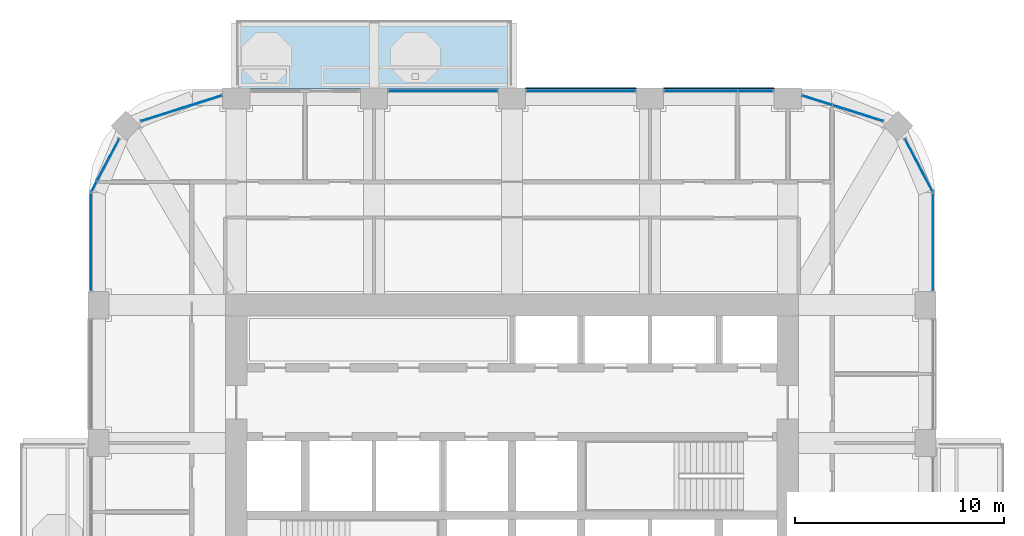
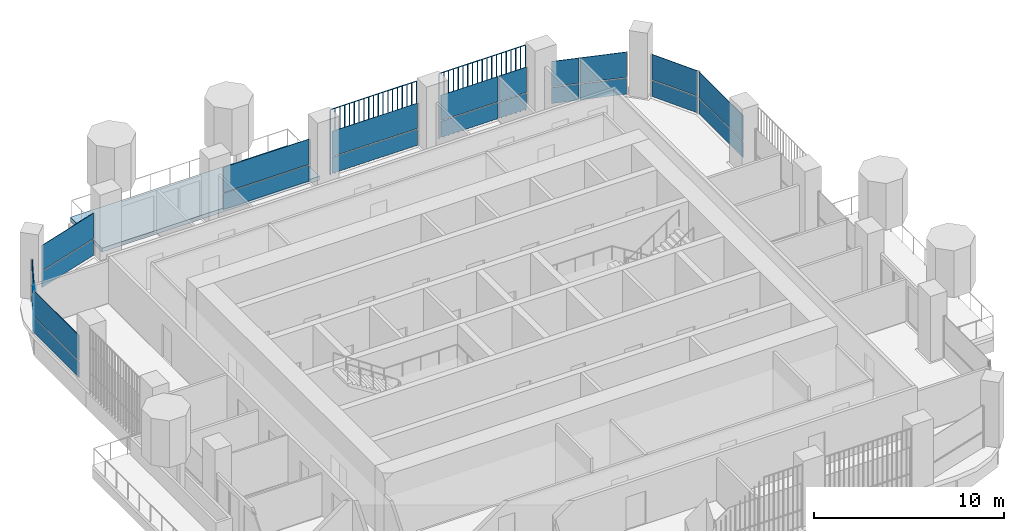
# One storey, part 10 of 20: 26 plates, 1 slab, 9 elements without a shape of their own.
"""IFC4 building model written with IfcOpenShell, lengths in metres."""

from ifc_helpers import new_model, si_unit, direction, frame, origin, origin_2d, place, context, subcontext, project, spatial, polyline, rectangle, outline, extrude, material, layer, layer_set, type_object, element, aggregate, save


model = new_model("IFC4")

# Units and contexts
model_context = context("Model", 3, precision=1e-05, world=origin(), true_north=direction((0.0, 1.0)))
body_context = subcontext(model_context, "Body", "Model", "MODEL_VIEW")
ifc_project = project(units=[si_unit("LENGTHUNIT", "METRE"), si_unit("AREAUNIT", "SQUARE_METRE"), si_unit("VOLUMEUNIT", "CUBIC_METRE"), si_unit("PLANEANGLEUNIT", "RADIAN"), si_unit("MASSUNIT", "GRAM", prefix="KILO")], contexts=[model_context])

# Site, building, storey
site_placement = place(None, origin())
site = spatial("IfcSite", under=ifc_project, at=site_placement, CompositionType="ELEMENT")
building_placement = place(site_placement, origin())
building = spatial("IfcBuilding", under=site, at=building_placement, Name="Cobogo Forest Laboratory Tower", CompositionType="ELEMENT")
storey_placement = place(building_placement, frame((0.0, 0.0, 254.39990234375)))
storey = spatial("IfcBuildingStorey", under=building, at=storey_placement, Name="L58", CompositionType="ELEMENT", Elevation=254.39990234375)

# Slab
ifc_material_1 = material(Name="Concrete HA-40 (C40/50)", Category="concrete")
ifc_layer_1 = layer(ifc_material_1, 0.25)
ifc_layer_set_1 = layer_set([ifc_layer_1], Name="Balcony slab 250")
slab_type = type_object("IfcSlabType", Name="Balcony slab 250", PredefinedType="FLOOR", material=ifc_layer_set_1)
slab_placement = place(storey_placement, frame((0.0, 0.0, -0.25)))
element("IfcSlab", 1, at=slab_placement, inside=storey, type_object=slab_type, Name="Balcony BAL-N1 L58", PredefinedType="FLOOR", context=body_context, shape_type="SweptSolid", body=[
    extrude(outline(polyline([(13.199951171875, 43.35009765625), (26.39990234375, 43.35009765625), (26.39990234375, 46.64990234375), (13.199951171875, 46.64990234375), (13.199951171875, 43.35009765625)])), origin(), (0.0, 0.0, 1.0), 0.25),
])

# Curtain wall, plates
ifc_material_2 = material(Name="Aluminium curtain wall", Category="aluminium")
curtain_wall_type = type_object("IfcCurtainWallType", Name="CW-2 unitised curtain wall, solar control glazing, laboratory floors zones C and D", PredefinedType="USERDEFINED", material=ifc_material_2)
curtain_wall_1_placement = place(storey_placement, origin())
curtain_wall_1 = element("IfcCurtainWall", 2, at=curtain_wall_1_placement, inside=storey, type_object=curtain_wall_type, Name="Curtain wall 11 L58", ObjectType="UNITISED CURTAIN WALL", PredefinedType="USERDEFINED")
ifc_material_3 = material(Name="Solar control insulated glass", Category="glass")
ifc_layer_2 = layer(ifc_material_3, 0.031982421875)
ifc_layer_set_2 = layer_set([ifc_layer_2], Name="GP-2 solar control glass unit 32")
plate_type_1 = type_object("IfcPlateType", Name="GP-2 solar control glass unit 32", PredefinedType="CURTAIN_PANEL", material=ifc_layer_set_2)
plate_1_placement = place(storey_placement, frame((46.550048828125, 36.02490234375, 0.0), z_axis=(0.0, 0.0, 1.0), x_axis=(0.0, 1.0, 0.0)))
plate_1 = element("IfcPlate", 3, at=plate_1_placement, type_object=plate_type_1, Name="CW-2 panel 1.1", PredefinedType="CURTAIN_PANEL", context=body_context, shape_type="SweptSolid", body=[
    extrude(rectangle(XDim=4.6298828125, YDim=0.031982421875, at=origin_2d()), origin(), (0.0, 0.0, 1.0), 1.02001953125),
])
plate_2_placement = place(storey_placement, frame((46.550048828125, 36.02490234375, 1.080078125), z_axis=(0.0, 0.0, 1.0), x_axis=(0.0, 1.0, 0.0)))
plate_2 = element("IfcPlate", 4, at=plate_2_placement, type_object=plate_type_1, Name="CW-2 panel 1.2", PredefinedType="CURTAIN_PANEL", context=body_context, shape_type="SweptSolid", body=[
    extrude(rectangle(XDim=4.6298828125, YDim=0.031982421875, at=origin_2d()), origin(), (0.0, 0.0, 1.0), 1.6201171875),
])
aggregate(curtain_wall_1, [plate_1, plate_2])

curtain_wall_2_placement = place(storey_placement, origin())
curtain_wall_2 = element("IfcCurtainWall", 5, at=curtain_wall_2_placement, inside=storey, type_object=curtain_wall_type, Name="Curtain wall 12 L58", ObjectType="UNITISED CURTAIN WALL", PredefinedType="USERDEFINED")
plate_3_placement = place(storey_placement, frame((45.869140625, 39.69873046875, 0.0), z_axis=(0.0, 0.0, 1.0), x_axis=(-0.464283791352, 0.885686491422, 0.0)))
plate_3 = element("IfcPlate", 6, at=plate_3_placement, type_object=plate_type_1, Name="CW-2 panel 1.1", PredefinedType="CURTAIN_PANEL", context=body_context, shape_type="SweptSolid", body=[
    extrude(rectangle(XDim=2.812744140625, YDim=0.031982421875, at=origin_2d()), origin(), (0.0, 0.0, 1.0), 1.02001953125),
])
plate_4_placement = place(storey_placement, frame((45.869140625, 39.69873046875, 1.080078125), z_axis=(0.0, 0.0, 1.0), x_axis=(-0.464283791352, 0.885686491422, 0.0)))
plate_4 = element("IfcPlate", 7, at=plate_4_placement, type_object=plate_type_1, Name="CW-2 panel 1.2", PredefinedType="CURTAIN_PANEL", context=body_context, shape_type="SweptSolid", body=[
    extrude(rectangle(XDim=2.812744140625, YDim=0.031982421875, at=origin_2d()), origin(), (0.0, 0.0, 1.0), 1.6201171875),
])
aggregate(curtain_wall_2, [plate_3, plate_4])

curtain_wall_3_placement = place(storey_placement, origin())
curtain_wall_3 = element("IfcCurtainWall", 8, at=curtain_wall_3_placement, inside=storey, type_object=curtain_wall_type, Name="Curtain wall 13 L58", ObjectType="UNITISED CURTAIN WALL", PredefinedType="USERDEFINED")
plate_5_placement = place(storey_placement, frame((42.962646484375, 42.18798828125, 0.0), z_axis=(0.0, 0.0, 1.0), x_axis=(-0.953581386052, 0.301135418334, 0.0)))
plate_5 = element("IfcPlate", 9, at=plate_5_placement, type_object=plate_type_1, Name="CW-2 panel 1.1", PredefinedType="CURTAIN_PANEL", context=body_context, shape_type="SweptSolid", body=[
    extrude(rectangle(XDim=2.4853515625, YDim=0.031982421875, at=origin_2d()), origin(), (0.0, 0.0, 1.0), 1.02001953125),
])
plate_6_placement = place(storey_placement, frame((42.962646484375, 42.18798828125, 1.080078125), z_axis=(0.0, 0.0, 1.0), x_axis=(-0.953581386052, 0.301135418334, 0.0)))
plate_6 = element("IfcPlate", 10, at=plate_6_placement, type_object=plate_type_1, Name="CW-2 panel 1.2", PredefinedType="CURTAIN_PANEL", context=body_context, shape_type="SweptSolid", body=[
    extrude(rectangle(XDim=2.4853515625, YDim=0.031982421875, at=origin_2d()), origin(), (0.0, 0.0, 1.0), 1.6201171875),
])
plate_7_placement = place(storey_placement, frame((41.013916015625, 42.803466796875, 0.0), z_axis=(0.0, 0.0, 1.0), x_axis=(-0.953581386052, 0.301135418334, 0.0)))
plate_7 = element("IfcPlate", 11, at=plate_7_placement, type_object=plate_type_1, Name="CW-2 panel 2.1", PredefinedType="CURTAIN_PANEL", context=body_context, shape_type="SweptSolid", body=[
    extrude(rectangle(XDim=1.482177734375, YDim=0.031982421875, at=origin_2d()), origin(), (0.0, 0.0, 1.0), 1.02001953125),
])
plate_8_placement = place(storey_placement, frame((41.013916015625, 42.803466796875, 1.080078125), z_axis=(0.0, 0.0, 1.0), x_axis=(-0.953581386052, 0.301135418334, 0.0)))
plate_8 = element("IfcPlate", 12, at=plate_8_placement, type_object=plate_type_1, Name="CW-2 panel 2.2", PredefinedType="CURTAIN_PANEL", context=body_context, shape_type="SweptSolid", body=[
    extrude(rectangle(XDim=1.482177734375, YDim=0.031982421875, at=origin_2d()), origin(), (0.0, 0.0, 1.0), 1.6201171875),
])
aggregate(curtain_wall_3, [plate_5, plate_6, plate_7, plate_8])

curtain_wall_4_placement = place(storey_placement, origin())
curtain_wall_4 = element("IfcCurtainWall", 13, at=curtain_wall_4_placement, inside=storey, type_object=curtain_wall_type, Name="Curtain wall 14 L58", ObjectType="UNITISED CURTAIN WALL", PredefinedType="USERDEFINED")
plate_9_placement = place(storey_placement, frame((38.06005859375, 43.25, 0.0), z_axis=(0.0, 0.0, 1.0), x_axis=(-1.0, 0.0, 0.0)))
plate_9 = element("IfcPlate", 14, at=plate_9_placement, type_object=plate_type_1, Name="CW-2 panel 1.1", PredefinedType="CURTAIN_PANEL", context=body_context, shape_type="SweptSolid", body=[
    extrude(rectangle(XDim=1.659912109375, YDim=0.031982421875, at=origin_2d()), origin(), (0.0, 0.0, 1.0), 1.02001953125),
])
plate_10_placement = place(storey_placement, frame((38.06005859375, 43.25, 1.080078125), z_axis=(0.0, 0.0, 1.0), x_axis=(-1.0, 0.0, 0.0)))
plate_10 = element("IfcPlate", 15, at=plate_10_placement, type_object=plate_type_1, Name="CW-2 panel 1.2", PredefinedType="CURTAIN_PANEL", context=body_context, shape_type="SweptSolid", body=[
    extrude(rectangle(XDim=1.659912109375, YDim=0.031982421875, at=origin_2d()), origin(), (0.0, 0.0, 1.0), 1.6201171875),
])
plate_11_placement = place(storey_placement, frame((35.43994140625, 43.25, 0.0), z_axis=(0.0, 0.0, 1.0), x_axis=(-1.0, 0.0, 0.0)))
plate_11 = element("IfcPlate", 16, at=plate_11_placement, type_object=plate_type_1, Name="CW-2 panel 2.1", PredefinedType="CURTAIN_PANEL", context=body_context, shape_type="SweptSolid", body=[
    extrude(rectangle(XDim=3.4599609375, YDim=0.031982421875, at=origin_2d()), origin(), (0.0, 0.0, 1.0), 1.02001953125),
])
plate_12_placement = place(storey_placement, frame((35.43994140625, 43.25, 1.080078125), z_axis=(0.0, 0.0, 1.0), x_axis=(-1.0, 0.0, 0.0)))
plate_12 = element("IfcPlate", 17, at=plate_12_placement, type_object=plate_type_1, Name="CW-2 panel 2.2", PredefinedType="CURTAIN_PANEL", context=body_context, shape_type="SweptSolid", body=[
    extrude(rectangle(XDim=3.4599609375, YDim=0.031982421875, at=origin_2d()), origin(), (0.0, 0.0, 1.0), 1.6201171875),
])
aggregate(curtain_wall_4, [plate_9, plate_10, plate_11, plate_12])

curtain_wall_5_placement = place(storey_placement, origin())
curtain_wall_5 = element("IfcCurtainWall", 18, at=curtain_wall_5_placement, inside=storey, type_object=curtain_wall_type, Name="Curtain wall 15 L58", ObjectType="UNITISED CURTAIN WALL", PredefinedType="USERDEFINED")
plate_13_placement = place(storey_placement, frame((29.699951171875, 43.25, 0.0), z_axis=(0.0, 0.0, 1.0), x_axis=(-1.0, 0.0, 0.0)))
plate_13 = element("IfcPlate", 19, at=plate_13_placement, type_object=plate_type_1, Name="CW-2 panel 1.1", PredefinedType="CURTAIN_PANEL", context=body_context, shape_type="SweptSolid", body=[
    extrude(rectangle(XDim=5.179931640625, YDim=0.031982421875, at=origin_2d()), origin(), (0.0, 0.0, 1.0), 1.02001953125),
])
plate_14_placement = place(storey_placement, frame((29.699951171875, 43.25, 1.080078125), z_axis=(0.0, 0.0, 1.0), x_axis=(-1.0, 0.0, 0.0)))
plate_14 = element("IfcPlate", 20, at=plate_14_placement, type_object=plate_type_1, Name="CW-2 panel 1.2", PredefinedType="CURTAIN_PANEL", context=body_context, shape_type="SweptSolid", body=[
    extrude(rectangle(XDim=5.179931640625, YDim=0.031982421875, at=origin_2d()), origin(), (0.0, 0.0, 1.0), 1.6201171875),
])
aggregate(curtain_wall_5, [plate_13, plate_14])

curtain_wall_6_placement = place(storey_placement, origin())
curtain_wall_6 = element("IfcCurtainWall", 21, at=curtain_wall_6_placement, inside=storey, type_object=curtain_wall_type, Name="Curtain wall 16 L58", ObjectType="UNITISED CURTAIN WALL", PredefinedType="USERDEFINED")
plate_15_placement = place(storey_placement, frame((23.10009765625, 43.25, 0.0), z_axis=(0.0, 0.0, 1.0), x_axis=(-1.0, 0.0, 0.0)))
plate_15 = element("IfcPlate", 22, at=plate_15_placement, type_object=plate_type_1, Name="CW-2 panel 1.1", PredefinedType="CURTAIN_PANEL", context=body_context, shape_type="SweptSolid", body=[
    extrude(rectangle(XDim=5.179931640625, YDim=0.031982421875, at=origin_2d()), origin(), (0.0, 0.0, 1.0), 1.02001953125),
])
plate_16_placement = place(storey_placement, frame((23.10009765625, 43.25, 1.080078125), z_axis=(0.0, 0.0, 1.0), x_axis=(-1.0, 0.0, 0.0)))
plate_16 = element("IfcPlate", 23, at=plate_16_placement, type_object=plate_type_1, Name="CW-2 panel 1.2", PredefinedType="CURTAIN_PANEL", context=body_context, shape_type="SweptSolid", body=[
    extrude(rectangle(XDim=5.179931640625, YDim=0.031982421875, at=origin_2d()), origin(), (0.0, 0.0, 1.0), 1.6201171875),
])
aggregate(curtain_wall_6, [plate_15, plate_16])

curtain_wall_7_placement = place(storey_placement, origin())
curtain_wall_7 = element("IfcCurtainWall", 24, at=curtain_wall_7_placement, inside=storey, type_object=curtain_wall_type, Name="Curtain wall 18 L58", ObjectType="UNITISED CURTAIN WALL", PredefinedType="USERDEFINED")
plate_17_placement = place(storey_placement, frame((10.572509765625, 42.420166015625, 0.0), z_axis=(0.0, 0.0, 1.0), x_axis=(-0.953581386052, -0.301135418334, 0.0)))
plate_17 = element("IfcPlate", 25, at=plate_17_placement, type_object=plate_type_1, Name="CW-2 panel 1.1", PredefinedType="CURTAIN_PANEL", context=body_context, shape_type="SweptSolid", body=[
    extrude(rectangle(XDim=4.02734375, YDim=0.031982421875, at=origin_2d()), origin(), (0.0, 0.0, 1.0), 1.02001953125),
])
plate_18_placement = place(storey_placement, frame((10.572509765625, 42.420166015625, 1.080078125), z_axis=(0.0, 0.0, 1.0), x_axis=(-0.953581386052, -0.301135418334, 0.0)))
plate_18 = element("IfcPlate", 26, at=plate_18_placement, type_object=plate_type_1, Name="CW-2 panel 1.2", PredefinedType="CURTAIN_PANEL", context=body_context, shape_type="SweptSolid", body=[
    extrude(rectangle(XDim=4.02734375, YDim=0.031982421875, at=origin_2d()), origin(), (0.0, 0.0, 1.0), 1.6201171875),
])
aggregate(curtain_wall_7, [plate_17, plate_18])

curtain_wall_8_placement = place(storey_placement, origin())
curtain_wall_8 = element("IfcCurtainWall", 27, at=curtain_wall_8_placement, inside=storey, type_object=curtain_wall_type, Name="Curtain wall 19 L58", ObjectType="UNITISED CURTAIN WALL", PredefinedType="USERDEFINED")
plate_19_placement = place(storey_placement, frame((7.064697265625, 39.9541015625, 0.0), z_axis=(0.0, 0.0, 1.0), x_axis=(-0.464283791352, -0.885686491422, 0.0)))
plate_19 = element("IfcPlate", 28, at=plate_19_placement, type_object=plate_type_1, Name="CW-2 panel 1.1", PredefinedType="CURTAIN_PANEL", context=body_context, shape_type="SweptSolid", body=[
    extrude(rectangle(XDim=2.236328125, YDim=0.031982421875, at=origin_2d()), origin(), (0.0, 0.0, 1.0), 1.02001953125),
])
plate_20_placement = place(storey_placement, frame((7.064697265625, 39.9541015625, 1.080078125), z_axis=(0.0, 0.0, 1.0), x_axis=(-0.464283791352, -0.885686491422, 0.0)))
plate_20 = element("IfcPlate", 29, at=plate_20_placement, type_object=plate_type_1, Name="CW-2 panel 1.2", PredefinedType="CURTAIN_PANEL", context=body_context, shape_type="SweptSolid", body=[
    extrude(rectangle(XDim=2.236328125, YDim=0.031982421875, at=origin_2d()), origin(), (0.0, 0.0, 1.0), 1.6201171875),
])
plate_21_placement = place(storey_placement, frame((6.397705078125, 38.681884765625, 0.0), z_axis=(0.0, 0.0, 1.0), x_axis=(-0.464283791352, -0.885686491422, 0.0)))
plate_21 = element("IfcPlate", 30, at=plate_21_placement, type_object=plate_type_1, Name="CW-2 panel 2.1", PredefinedType="CURTAIN_PANEL", context=body_context, shape_type="SweptSolid", body=[
    extrude(rectangle(XDim=0.516357421875, YDim=0.031982421875, at=origin_2d()), origin(), (0.0, 0.0, 1.0), 1.02001953125),
])
plate_22_placement = place(storey_placement, frame((6.397705078125, 38.681884765625, 1.080078125), z_axis=(0.0, 0.0, 1.0), x_axis=(-0.464283791352, -0.885686491422, 0.0)))
plate_22 = element("IfcPlate", 31, at=plate_22_placement, type_object=plate_type_1, Name="CW-2 panel 2.2", PredefinedType="CURTAIN_PANEL", context=body_context, shape_type="SweptSolid", body=[
    extrude(rectangle(XDim=0.516357421875, YDim=0.031982421875, at=origin_2d()), origin(), (0.0, 0.0, 1.0), 1.6201171875),
])
aggregate(curtain_wall_8, [plate_19, plate_20, plate_21, plate_22])

curtain_wall_9_placement = place(storey_placement, origin())
curtain_wall_9 = element("IfcCurtainWall", 32, at=curtain_wall_9_placement, inside=storey, type_object=curtain_wall_type, Name="Curtain wall 20 L58", ObjectType="UNITISED CURTAIN WALL", PredefinedType="USERDEFINED")
plate_23_placement = place(storey_placement, frame((6.25, 36.02490234375, 0.0), z_axis=(0.0, 0.0, 1.0), x_axis=(0.0, -1.0, 0.0)))
plate_23 = element("IfcPlate", 33, at=plate_23_placement, type_object=plate_type_1, Name="CW-2 panel 1.1", PredefinedType="CURTAIN_PANEL", context=body_context, shape_type="SweptSolid", body=[
    extrude(rectangle(XDim=4.6298828125, YDim=0.031982421875, at=origin_2d()), origin(), (0.0, 0.0, 1.0), 1.02001953125),
])
plate_24_placement = place(storey_placement, frame((6.25, 36.02490234375, 1.080078125), z_axis=(0.0, 0.0, 1.0), x_axis=(0.0, -1.0, 0.0)))
plate_24 = element("IfcPlate", 34, at=plate_24_placement, type_object=plate_type_1, Name="CW-2 panel 1.2", PredefinedType="CURTAIN_PANEL", context=body_context, shape_type="SweptSolid", body=[
    extrude(rectangle(XDim=4.6298828125, YDim=0.031982421875, at=origin_2d()), origin(), (0.0, 0.0, 1.0), 1.6201171875),
])
aggregate(curtain_wall_9, [plate_23, plate_24])

# Plates
ifc_material_4 = material(Name="Terracotta", Category="masonry")
plate_type_2 = type_object("IfcPlateType", Name="TB1 terracotta baguette screen", PredefinedType="USERDEFINED", material=ifc_material_4)
plate_25_placement = place(storey_placement, frame((27.081298828125, 43.3779296875, -0.14990234375)))
element("IfcPlate", 35, at=plate_25_placement, inside=storey, type_object=plate_type_2, Name="Baguette screen N3 L58", ObjectType="BAGUETTE SCREEN", PredefinedType="USERDEFINED", context=body_context, shape_type="SweptSolid", body=[
    extrude(outline(polyline([(0.02880859375, 0.011962890625), (0.011962890625, 0.02880859375), (-0.011962890625, 0.02880859375), (-0.02880859375, 0.011962890625), (-0.02880859375, -0.011962890625), (-0.011962890625, -0.02880859375), (0.011962890625, -0.02880859375), (0.02880859375, -0.011962890625), (0.02880859375, 0.011962890625)])), frame((0.0, 0.0, 4.168701171875), z_axis=(1.0, 0.0, 0.0), x_axis=(0.0, 1.0, 0.0)), (0.0, 0.0, 1.0), 5.237548828125),
    extrude(outline(polyline([(0.02880859375, 0.011962890625), (0.011962890625, 0.02880859375), (-0.011962890625, 0.02880859375), (-0.02880859375, 0.011962890625), (-0.02880859375, -0.011962890625), (-0.011962890625, -0.02880859375), (0.011962890625, -0.02880859375), (0.02880859375, -0.011962890625), (0.02880859375, 0.011962890625)])), origin(), (0.0, 0.0, 1.0), 4.137451171875),
    extrude(outline(polyline([(0.02880859375, 0.011962890625), (0.011962890625, 0.02880859375), (-0.011962890625, 0.02880859375), (-0.02880859375, 0.011962890625), (-0.02880859375, -0.011962890625), (-0.011962890625, -0.02880859375), (0.011962890625, -0.02880859375), (0.02880859375, -0.011962890625), (0.02880859375, 0.011962890625)])), frame((0.291015625, 0.0, 0.0)), (0.0, 0.0, 1.0), 4.137451171875),
    extrude(outline(polyline([(0.02880859375, 0.011962890625), (0.011962890625, 0.02880859375), (-0.011962890625, 0.02880859375), (-0.02880859375, 0.011962890625), (-0.02880859375, -0.011962890625), (-0.011962890625, -0.02880859375), (0.011962890625, -0.02880859375), (0.02880859375, -0.011962890625), (0.02880859375, 0.011962890625)])), frame((0.58203125, 0.0, 0.0)), (0.0, 0.0, 1.0), 4.137451171875),
    extrude(outline(polyline([(0.02880859375, 0.011962890625), (0.011962890625, 0.02880859375), (-0.011962890625, 0.02880859375), (-0.02880859375, 0.011962890625), (-0.02880859375, -0.011962890625), (-0.011962890625, -0.02880859375), (0.011962890625, -0.02880859375), (0.02880859375, -0.011962890625), (0.02880859375, 0.011962890625)])), frame((0.873046875, 0.0, 0.0)), (0.0, 0.0, 1.0), 4.137451171875),
    extrude(outline(polyline([(0.02880859375, 0.011962890625), (0.011962890625, 0.02880859375), (-0.011962890625, 0.02880859375), (-0.02880859375, 0.011962890625), (-0.02880859375, -0.011962890625), (-0.011962890625, -0.02880859375), (0.011962890625, -0.02880859375), (0.02880859375, -0.011962890625), (0.02880859375, 0.011962890625)])), frame((1.163818359375, 0.0, 0.0)), (0.0, 0.0, 1.0), 4.137451171875),
    extrude(outline(polyline([(0.02880859375, 0.011962890625), (0.011962890625, 0.02880859375), (-0.011962890625, 0.02880859375), (-0.02880859375, 0.011962890625), (-0.02880859375, -0.011962890625), (-0.011962890625, -0.02880859375), (0.011962890625, -0.02880859375), (0.02880859375, -0.011962890625), (0.02880859375, 0.011962890625)])), frame((1.454833984375, 0.0, 0.0)), (0.0, 0.0, 1.0), 4.137451171875),
    extrude(outline(polyline([(0.02880859375, 0.011962890625), (0.011962890625, 0.02880859375), (-0.011962890625, 0.02880859375), (-0.02880859375, 0.011962890625), (-0.02880859375, -0.011962890625), (-0.011962890625, -0.02880859375), (0.011962890625, -0.02880859375), (0.02880859375, -0.011962890625), (0.02880859375, 0.011962890625)])), frame((1.745849609375, 0.0, 0.0)), (0.0, 0.0, 1.0), 4.137451171875),
    extrude(outline(polyline([(0.02880859375, 0.011962890625), (0.011962890625, 0.02880859375), (-0.011962890625, 0.02880859375), (-0.02880859375, 0.011962890625), (-0.02880859375, -0.011962890625), (-0.011962890625, -0.02880859375), (0.011962890625, -0.02880859375), (0.02880859375, -0.011962890625), (0.02880859375, 0.011962890625)])), frame((2.036865234375, 0.0, 0.0)), (0.0, 0.0, 1.0), 4.137451171875),
    extrude(outline(polyline([(0.02880859375, 0.011962890625), (0.011962890625, 0.02880859375), (-0.011962890625, 0.02880859375), (-0.02880859375, 0.011962890625), (-0.02880859375, -0.011962890625), (-0.011962890625, -0.02880859375), (0.011962890625, -0.02880859375), (0.02880859375, -0.011962890625), (0.02880859375, 0.011962890625)])), frame((2.327880859375, 0.0, 0.0)), (0.0, 0.0, 1.0), 4.137451171875),
    extrude(outline(polyline([(0.02880859375, 0.011962890625), (0.011962890625, 0.02880859375), (-0.011962890625, 0.02880859375), (-0.02880859375, 0.011962890625), (-0.02880859375, -0.011962890625), (-0.011962890625, -0.02880859375), (0.011962890625, -0.02880859375), (0.02880859375, -0.011962890625), (0.02880859375, 0.011962890625)])), frame((2.61865234375, 0.0, 0.0)), (0.0, 0.0, 1.0), 4.137451171875),
    extrude(outline(polyline([(0.02880859375, 0.011962890625), (0.011962890625, 0.02880859375), (-0.011962890625, 0.02880859375), (-0.02880859375, 0.011962890625), (-0.02880859375, -0.011962890625), (-0.011962890625, -0.02880859375), (0.011962890625, -0.02880859375), (0.02880859375, -0.011962890625), (0.02880859375, 0.011962890625)])), frame((2.90966796875, 0.0, 0.0)), (0.0, 0.0, 1.0), 4.137451171875),
    extrude(outline(polyline([(0.02880859375, 0.011962890625), (0.011962890625, 0.02880859375), (-0.011962890625, 0.02880859375), (-0.02880859375, 0.011962890625), (-0.02880859375, -0.011962890625), (-0.011962890625, -0.02880859375), (0.011962890625, -0.02880859375), (0.02880859375, -0.011962890625), (0.02880859375, 0.011962890625)])), frame((3.20068359375, 0.0, 0.0)), (0.0, 0.0, 1.0), 4.137451171875),
    extrude(outline(polyline([(0.02880859375, 0.011962890625), (0.011962890625, 0.02880859375), (-0.011962890625, 0.02880859375), (-0.02880859375, 0.011962890625), (-0.02880859375, -0.011962890625), (-0.011962890625, -0.02880859375), (0.011962890625, -0.02880859375), (0.02880859375, -0.011962890625), (0.02880859375, 0.011962890625)])), frame((3.49169921875, 0.0, 0.0)), (0.0, 0.0, 1.0), 4.137451171875),
    extrude(outline(polyline([(0.02880859375, 0.011962890625), (0.011962890625, 0.02880859375), (-0.011962890625, 0.02880859375), (-0.02880859375, 0.011962890625), (-0.02880859375, -0.011962890625), (-0.011962890625, -0.02880859375), (0.011962890625, -0.02880859375), (0.02880859375, -0.011962890625), (0.02880859375, 0.011962890625)])), frame((3.78271484375, 0.0, 0.0)), (0.0, 0.0, 1.0), 4.137451171875),
    extrude(outline(polyline([(0.02880859375, 0.011962890625), (0.011962890625, 0.02880859375), (-0.011962890625, 0.02880859375), (-0.02880859375, 0.011962890625), (-0.02880859375, -0.011962890625), (-0.011962890625, -0.02880859375), (0.011962890625, -0.02880859375), (0.02880859375, -0.011962890625), (0.02880859375, 0.011962890625)])), frame((4.07373046875, 0.0, 0.0)), (0.0, 0.0, 1.0), 4.137451171875),
    extrude(outline(polyline([(0.02880859375, 0.011962890625), (0.011962890625, 0.02880859375), (-0.011962890625, 0.02880859375), (-0.02880859375, 0.011962890625), (-0.02880859375, -0.011962890625), (-0.011962890625, -0.02880859375), (0.011962890625, -0.02880859375), (0.02880859375, -0.011962890625), (0.02880859375, 0.011962890625)])), frame((4.36474609375, 0.0, 0.0)), (0.0, 0.0, 1.0), 4.137451171875),
    extrude(outline(polyline([(0.02880859375, 0.011962890625), (0.011962890625, 0.02880859375), (-0.011962890625, 0.02880859375), (-0.02880859375, 0.011962890625), (-0.02880859375, -0.011962890625), (-0.011962890625, -0.02880859375), (0.011962890625, -0.02880859375), (0.02880859375, -0.011962890625), (0.02880859375, 0.011962890625)])), frame((4.655517578125, 0.0, 0.0)), (0.0, 0.0, 1.0), 4.137451171875),
    extrude(outline(polyline([(0.02880859375, 0.011962890625), (0.011962890625, 0.02880859375), (-0.011962890625, 0.02880859375), (-0.02880859375, 0.011962890625), (-0.02880859375, -0.011962890625), (-0.011962890625, -0.02880859375), (0.011962890625, -0.02880859375), (0.02880859375, -0.011962890625), (0.02880859375, 0.011962890625)])), frame((4.946533203125, 0.0, 0.0)), (0.0, 0.0, 1.0), 4.137451171875),
    extrude(outline(polyline([(0.02880859375, 0.011962890625), (0.011962890625, 0.02880859375), (-0.011962890625, 0.02880859375), (-0.02880859375, 0.011962890625), (-0.02880859375, -0.011962890625), (-0.011962890625, -0.02880859375), (0.011962890625, -0.02880859375), (0.02880859375, -0.011962890625), (0.02880859375, 0.011962890625)])), frame((5.237548828125, 0.0, 0.0)), (0.0, 0.0, 1.0), 4.137451171875),
])
plate_26_placement = place(storey_placement, frame((33.68115234375, 43.3779296875, -0.14990234375)))
element("IfcPlate", 36, at=plate_26_placement, inside=storey, type_object=plate_type_2, Name="Baguette screen N4 L58", ObjectType="BAGUETTE SCREEN", PredefinedType="USERDEFINED", context=body_context, shape_type="SweptSolid", body=[
    extrude(outline(polyline([(0.02880859375, 0.011962890625), (0.011962890625, 0.02880859375), (-0.011962890625, 0.02880859375), (-0.02880859375, 0.011962890625), (-0.02880859375, -0.011962890625), (-0.011962890625, -0.02880859375), (0.011962890625, -0.02880859375), (0.02880859375, -0.011962890625), (0.02880859375, 0.011962890625)])), frame((0.0, 0.0, 4.168701171875), z_axis=(1.0, 0.0, 0.0), x_axis=(0.0, 1.0, 0.0)), (0.0, 0.0, 1.0), 5.237548828125),
    extrude(outline(polyline([(0.02880859375, 0.011962890625), (0.011962890625, 0.02880859375), (-0.011962890625, 0.02880859375), (-0.02880859375, 0.011962890625), (-0.02880859375, -0.011962890625), (-0.011962890625, -0.02880859375), (0.011962890625, -0.02880859375), (0.02880859375, -0.011962890625), (0.02880859375, 0.011962890625)])), origin(), (0.0, 0.0, 1.0), 4.137451171875),
    extrude(outline(polyline([(0.02880859375, 0.011962890625), (0.011962890625, 0.02880859375), (-0.011962890625, 0.02880859375), (-0.02880859375, 0.011962890625), (-0.02880859375, -0.011962890625), (-0.011962890625, -0.02880859375), (0.011962890625, -0.02880859375), (0.02880859375, -0.011962890625), (0.02880859375, 0.011962890625)])), frame((0.291015625, 0.0, 0.0)), (0.0, 0.0, 1.0), 4.137451171875),
    extrude(outline(polyline([(0.02880859375, 0.011962890625), (0.011962890625, 0.02880859375), (-0.011962890625, 0.02880859375), (-0.02880859375, 0.011962890625), (-0.02880859375, -0.011962890625), (-0.011962890625, -0.02880859375), (0.011962890625, -0.02880859375), (0.02880859375, -0.011962890625), (0.02880859375, 0.011962890625)])), frame((0.58203125, 0.0, 0.0)), (0.0, 0.0, 1.0), 4.137451171875),
    extrude(outline(polyline([(0.02880859375, 0.011962890625), (0.011962890625, 0.02880859375), (-0.011962890625, 0.02880859375), (-0.02880859375, 0.011962890625), (-0.02880859375, -0.011962890625), (-0.011962890625, -0.02880859375), (0.011962890625, -0.02880859375), (0.02880859375, -0.011962890625), (0.02880859375, 0.011962890625)])), frame((0.873046875, 0.0, 0.0)), (0.0, 0.0, 1.0), 4.137451171875),
    extrude(outline(polyline([(0.02880859375, 0.011962890625), (0.011962890625, 0.02880859375), (-0.011962890625, 0.02880859375), (-0.02880859375, 0.011962890625), (-0.02880859375, -0.011962890625), (-0.011962890625, -0.02880859375), (0.011962890625, -0.02880859375), (0.02880859375, -0.011962890625), (0.02880859375, 0.011962890625)])), frame((1.163818359375, 0.0, 0.0)), (0.0, 0.0, 1.0), 4.137451171875),
    extrude(outline(polyline([(0.02880859375, 0.011962890625), (0.011962890625, 0.02880859375), (-0.011962890625, 0.02880859375), (-0.02880859375, 0.011962890625), (-0.02880859375, -0.011962890625), (-0.011962890625, -0.02880859375), (0.011962890625, -0.02880859375), (0.02880859375, -0.011962890625), (0.02880859375, 0.011962890625)])), frame((1.454833984375, 0.0, 0.0)), (0.0, 0.0, 1.0), 4.137451171875),
    extrude(outline(polyline([(0.02880859375, 0.011962890625), (0.011962890625, 0.02880859375), (-0.011962890625, 0.02880859375), (-0.02880859375, 0.011962890625), (-0.02880859375, -0.011962890625), (-0.011962890625, -0.02880859375), (0.011962890625, -0.02880859375), (0.02880859375, -0.011962890625), (0.02880859375, 0.011962890625)])), frame((1.745849609375, 0.0, 0.0)), (0.0, 0.0, 1.0), 4.137451171875),
    extrude(outline(polyline([(0.02880859375, 0.011962890625), (0.011962890625, 0.02880859375), (-0.011962890625, 0.02880859375), (-0.02880859375, 0.011962890625), (-0.02880859375, -0.011962890625), (-0.011962890625, -0.02880859375), (0.011962890625, -0.02880859375), (0.02880859375, -0.011962890625), (0.02880859375, 0.011962890625)])), frame((2.036865234375, 0.0, 0.0)), (0.0, 0.0, 1.0), 4.137451171875),
    extrude(outline(polyline([(0.02880859375, 0.011962890625), (0.011962890625, 0.02880859375), (-0.011962890625, 0.02880859375), (-0.02880859375, 0.011962890625), (-0.02880859375, -0.011962890625), (-0.011962890625, -0.02880859375), (0.011962890625, -0.02880859375), (0.02880859375, -0.011962890625), (0.02880859375, 0.011962890625)])), frame((2.327880859375, 0.0, 0.0)), (0.0, 0.0, 1.0), 4.137451171875),
    extrude(outline(polyline([(0.02880859375, 0.011962890625), (0.011962890625, 0.02880859375), (-0.011962890625, 0.02880859375), (-0.02880859375, 0.011962890625), (-0.02880859375, -0.011962890625), (-0.011962890625, -0.02880859375), (0.011962890625, -0.02880859375), (0.02880859375, -0.011962890625), (0.02880859375, 0.011962890625)])), frame((2.61865234375, 0.0, 0.0)), (0.0, 0.0, 1.0), 4.137451171875),
    extrude(outline(polyline([(0.02880859375, 0.011962890625), (0.011962890625, 0.02880859375), (-0.011962890625, 0.02880859375), (-0.02880859375, 0.011962890625), (-0.02880859375, -0.011962890625), (-0.011962890625, -0.02880859375), (0.011962890625, -0.02880859375), (0.02880859375, -0.011962890625), (0.02880859375, 0.011962890625)])), frame((2.90966796875, 0.0, 0.0)), (0.0, 0.0, 1.0), 4.137451171875),
    extrude(outline(polyline([(0.02880859375, 0.011962890625), (0.011962890625, 0.02880859375), (-0.011962890625, 0.02880859375), (-0.02880859375, 0.011962890625), (-0.02880859375, -0.011962890625), (-0.011962890625, -0.02880859375), (0.011962890625, -0.02880859375), (0.02880859375, -0.011962890625), (0.02880859375, 0.011962890625)])), frame((3.20068359375, 0.0, 0.0)), (0.0, 0.0, 1.0), 4.137451171875),
    extrude(outline(polyline([(0.02880859375, 0.011962890625), (0.011962890625, 0.02880859375), (-0.011962890625, 0.02880859375), (-0.02880859375, 0.011962890625), (-0.02880859375, -0.011962890625), (-0.011962890625, -0.02880859375), (0.011962890625, -0.02880859375), (0.02880859375, -0.011962890625), (0.02880859375, 0.011962890625)])), frame((3.49169921875, 0.0, 0.0)), (0.0, 0.0, 1.0), 4.137451171875),
    extrude(outline(polyline([(0.02880859375, 0.011962890625), (0.011962890625, 0.02880859375), (-0.011962890625, 0.02880859375), (-0.02880859375, 0.011962890625), (-0.02880859375, -0.011962890625), (-0.011962890625, -0.02880859375), (0.011962890625, -0.02880859375), (0.02880859375, -0.011962890625), (0.02880859375, 0.011962890625)])), frame((3.78271484375, 0.0, 0.0)), (0.0, 0.0, 1.0), 4.137451171875),
    extrude(outline(polyline([(0.02880859375, 0.011962890625), (0.011962890625, 0.02880859375), (-0.011962890625, 0.02880859375), (-0.02880859375, 0.011962890625), (-0.02880859375, -0.011962890625), (-0.011962890625, -0.02880859375), (0.011962890625, -0.02880859375), (0.02880859375, -0.011962890625), (0.02880859375, 0.011962890625)])), frame((4.07373046875, 0.0, 0.0)), (0.0, 0.0, 1.0), 4.137451171875),
    extrude(outline(polyline([(0.02880859375, 0.011962890625), (0.011962890625, 0.02880859375), (-0.011962890625, 0.02880859375), (-0.02880859375, 0.011962890625), (-0.02880859375, -0.011962890625), (-0.011962890625, -0.02880859375), (0.011962890625, -0.02880859375), (0.02880859375, -0.011962890625), (0.02880859375, 0.011962890625)])), frame((4.36474609375, 0.0, 0.0)), (0.0, 0.0, 1.0), 4.137451171875),
    extrude(outline(polyline([(0.02880859375, 0.011962890625), (0.011962890625, 0.02880859375), (-0.011962890625, 0.02880859375), (-0.02880859375, 0.011962890625), (-0.02880859375, -0.011962890625), (-0.011962890625, -0.02880859375), (0.011962890625, -0.02880859375), (0.02880859375, -0.011962890625), (0.02880859375, 0.011962890625)])), frame((4.655517578125, 0.0, 0.0)), (0.0, 0.0, 1.0), 4.137451171875),
    extrude(outline(polyline([(0.02880859375, 0.011962890625), (0.011962890625, 0.02880859375), (-0.011962890625, 0.02880859375), (-0.02880859375, 0.011962890625), (-0.02880859375, -0.011962890625), (-0.011962890625, -0.02880859375), (0.011962890625, -0.02880859375), (0.02880859375, -0.011962890625), (0.02880859375, 0.011962890625)])), frame((4.946533203125, 0.0, 0.0)), (0.0, 0.0, 1.0), 4.137451171875),
    extrude(outline(polyline([(0.02880859375, 0.011962890625), (0.011962890625, 0.02880859375), (-0.011962890625, 0.02880859375), (-0.02880859375, 0.011962890625), (-0.02880859375, -0.011962890625), (-0.011962890625, -0.02880859375), (0.011962890625, -0.02880859375), (0.02880859375, -0.011962890625), (0.02880859375, 0.011962890625)])), frame((5.237548828125, 0.0, 0.0)), (0.0, 0.0, 1.0), 4.137451171875),
])

save(model, "model.ifc")
